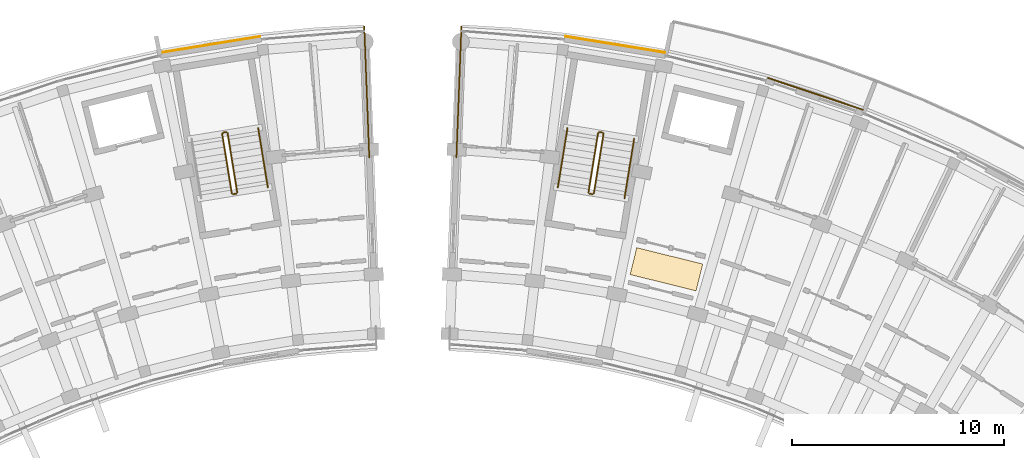
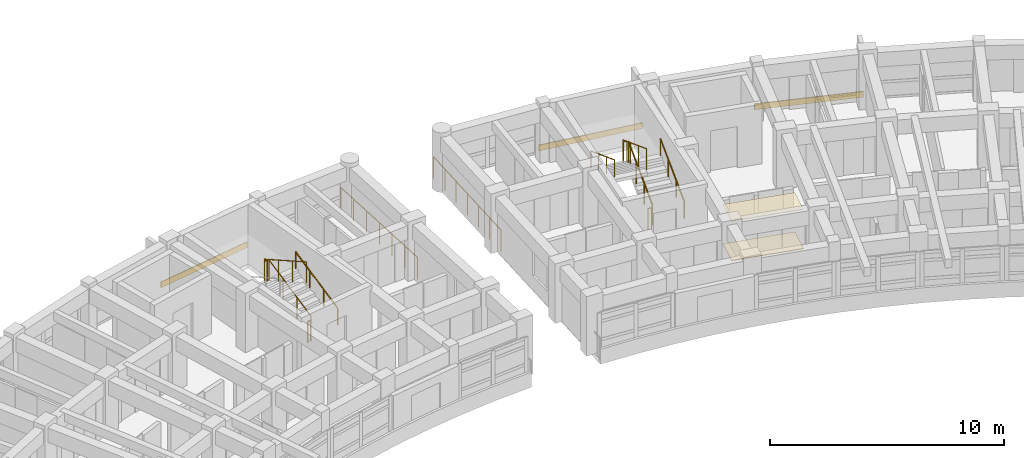
# One storey, part 63 of 70: 13 railings, 5 coverings.
"""IFC4 building model written with IfcOpenShell, lengths in metres."""

from ifc_helpers import new_model, si_unit, direction, frame, origin, origin_2d, place, context, subcontext, project, spatial, rectangle, circle, extrude, material, layer, layer_set, type_object, element, save


model = new_model("IFC4")

# Units and contexts
model_context = context("Model", 3, precision=1e-05, world=origin(), true_north=direction((0.0, 1.0)))
body_context = subcontext(model_context, "Body", "Model", "MODEL_VIEW")
ifc_project = project(units=[si_unit("LENGTHUNIT", "METRE"), si_unit("AREAUNIT", "SQUARE_METRE"), si_unit("VOLUMEUNIT", "CUBIC_METRE"), si_unit("PLANEANGLEUNIT", "RADIAN"), si_unit("MASSUNIT", "GRAM", prefix="KILO")], contexts=[model_context])

# Site, building, storey
site_placement = place(None, origin())
site = spatial("IfcSite", under=ifc_project, at=site_placement, CompositionType="ELEMENT")
building_placement = place(site_placement, origin())
building = spatial("IfcBuilding", under=site, at=building_placement, Name="Zimvara Arc Housing Community", CompositionType="ELEMENT")
storey_placement = place(building_placement, frame((0.0, 0.0, 8.10009765625)))
storey = spatial("IfcBuildingStorey", under=building, at=storey_placement, Name="L02", CompositionType="ELEMENT", Elevation=8.10009765625)

# Coverings
ifc_material_1 = material(Name="Pale-Gold Anodised Aluminium Cladding", Category="aluminium")
ifc_layer_1 = layer(ifc_material_1, 0.0400390625)
ifc_layer_set_1 = layer_set([ifc_layer_1], Name="Pale-Gold Anodised Aluminium Cladding")
covering_type_1 = type_object("IfcCoveringType", Name="CLD-GOLD-01", PredefinedType="CLADDING", material=ifc_layer_set_1)
covering_1_placement = place(storey_placement, frame((35.470947265625, 103.2041015625, 0.009765625), z_axis=(0.0, 0.0, 1.0), x_axis=(0.987080395872, 0.160225753504, 0.0)))
element("IfcCovering", 1, at=covering_1_placement, inside=storey, type_object=covering_type_1, Name="cld:blkA:L02:out:b8", PredefinedType="CLADDING", context=body_context, shape_type="SweptSolid", body=[
    extrude(rectangle(XDim=4.748779296875, YDim=0.0400390625, at=origin_2d()), origin(), (0.0, 0.0, 1.0), 0.300048828125),
])
ifc_material_2 = material(Name="Pale-Gold Anodised Aluminium Cladding", Category="aluminium")
ifc_layer_2 = layer(ifc_material_2, 0.044921875)
ifc_layer_set_2 = layer_set([ifc_layer_2], Name="Pale-Gold Anodised Aluminium Cladding")
covering_type_2 = type_object("IfcCoveringType", Name="CLD-GOLD-02", PredefinedType="CLADDING", material=ifc_layer_set_2)
covering_2_placement = place(storey_placement, frame((54.529541015625, 103.20654296875, 0.009765625), z_axis=(0.0, 0.0, 1.0), x_axis=(0.987080395872, -0.160225753504, 0.0)))
element("IfcCovering", 2, at=covering_2_placement, inside=storey, type_object=covering_type_2, Name="cld:blkB:L02:out:b1", PredefinedType="CLADDING", context=body_context, shape_type="SweptSolid", body=[
    extrude(rectangle(XDim=4.748779296875, YDim=0.044921875, at=origin_2d()), origin(), (0.0, 0.0, 1.0), 0.300048828125),
])
ifc_material_3 = material(Name="Pale-Gold Anodised Aluminium Cladding", Category="aluminium")
ifc_layer_3 = layer(ifc_material_3, 0.054931640625)
ifc_layer_set_3 = layer_set([ifc_layer_3], Name="Pale-Gold Anodised Aluminium Cladding")
covering_type_3 = type_object("IfcCoveringType", Name="CLD-GOLD-04", PredefinedType="CLADDING", material=ifc_layer_set_3)
covering_3_placement = place(storey_placement, frame((63.95361328125, 100.884521484375, 0.009765625), z_axis=(0.0, 0.0, 1.0), x_axis=(0.947879690069, -0.318628456287, 0.0)))
element("IfcCovering", 3, at=covering_3_placement, inside=storey, type_object=covering_type_3, Name="cld:blkB:L02:out:b3", PredefinedType="CLADDING", context=body_context, shape_type="SweptSolid", body=[
    extrude(rectangle(XDim=4.748779296875, YDim=0.054931640625, at=origin_2d()), origin(), (0.0, 0.0, 1.0), 0.300048828125),
])
ifc_material_4 = material(Name="Perforated Acoustic Ceiling Board")
ifc_layer_4 = layer(ifc_material_4, 0.02490234375)
ifc_layer_set_4 = layer_set([ifc_layer_4], Name="Perforated Acoustic Ceiling Board")
covering_type_4 = type_object("IfcCoveringType", Name="COV-CEIL-03", PredefinedType="CEILING", material=ifc_layer_set_4)
covering_4_placement = place(storey_placement, frame((56.938232421875, 92.625, 2.054931640625), z_axis=(0.0, 0.0, 1.0), x_axis=(0.240228042477, 0.970716481578, 0.0)))
element("IfcCovering", 4, at=covering_4_placement, inside=storey, type_object=covering_type_4, Name="ceil:blkB:L02", PredefinedType="CEILING", context=body_context, shape_type="SweptSolid", body=[
    extrude(rectangle(XDim=1.300048828125, YDim=3.199951171875, at=origin_2d()), origin(), (0.0, 0.0, 1.0), 0.02490234375),
])
ifc_material_5 = material(Name="Polished Coastal Sand Terrazzo")
ifc_layer_5 = layer(ifc_material_5, 0.028076171875)
ifc_layer_set_5 = layer_set([ifc_layer_5], Name="Polished Coastal Sand Terrazzo")
covering_type_5 = type_object("IfcCoveringType", Name="COV-FLOR-03", PredefinedType="FLOORING", material=ifc_layer_set_5)
covering_5_placement = place(storey_placement, frame((56.938232421875, 92.625, 0.0), z_axis=(0.0, 0.0, 1.0), x_axis=(0.240228042477, 0.970716481578, 0.0)))
element("IfcCovering", 5, at=covering_5_placement, inside=storey, type_object=covering_type_5, Name="flor:blkB:L02", PredefinedType="FLOORING", context=body_context, shape_type="SweptSolid", body=[
    extrude(rectangle(XDim=1.300048828125, YDim=3.199951171875, at=origin_2d()), origin(), (0.0, 0.0, 1.0), 0.028076171875),
])

# Railings
ifc_material_6 = material(Name="Anodised Aluminium AW-6063", Category="aluminium")
railing_type_1 = type_object("IfcRailingType", Name="RLG-BAL-1120", PredefinedType="BALUSTRADE", material=ifc_material_6)
railing_1_placement = place(storey_placement, frame((36.732421875, 96.243896484375, 0.15478515625)))
element("IfcRailing", 6, at=railing_1_placement, inside=storey, type_object=railing_type_1, Name="L02 ST-A2 stair guard 1", PredefinedType="BALUSTRADE", context=body_context, shape_type="SweptSolid", body=[
    extrude(circle(Radius=0.02392578125, at=origin_2d()), frame((0.0, 0.0, 1.09619140625), z_axis=(-0.143721784145, 0.885666177347, 0.441519502474), x_axis=(-0.987087819028, -0.160180016, 0.0)), (0.0, 0.0, 1.0), 3.15966796875),
    extrude(circle(Radius=0.02099609375, at=origin_2d()), origin(), (0.0, 0.0, 1.0), 1.072021484375),
    extrude(circle(Radius=0.02099609375, at=origin_2d()), frame((-0.1513671875, 0.932861328125, 0.465087890625)), (0.0, 0.0, 1.0), 1.072021484375),
    extrude(circle(Radius=0.02099609375, at=origin_2d()), frame((-0.302734375, 1.865478515625, 0.929931640625)), (0.0, 0.0, 1.0), 1.072021484375),
    extrude(circle(Radius=0.02099609375, at=origin_2d()), frame((-0.4541015625, 2.79833984375, 1.39501953125)), (0.0, 0.0, 1.0), 1.072021484375),
])
railing_2_placement = place(storey_placement, frame((36.220947265625, 99.08349609375, 1.5498046875)))
element("IfcRailing", 7, at=railing_2_placement, inside=storey, type_object=railing_type_1, Name="L02 ST-A2 stair guard 2", PredefinedType="BALUSTRADE", context=body_context, shape_type="SweptSolid", body=[
    extrude(circle(Radius=0.02392578125, at=origin_2d()), frame((0.0, 0.0, 1.09619140625), z_axis=(-0.987085924886, -0.160191687964, 0.0), x_axis=(0.160191687964, -0.987085924886, 0.0)), (0.0, 0.0, 1.0), 0.159912109375),
    extrude(circle(Radius=0.02099609375, at=origin_2d()), origin(), (0.0, 0.0, 1.0), 1.072021484375),
    extrude(circle(Radius=0.02099609375, at=origin_2d()), frame((-0.157958984375, -0.025634765625, 0.0)), (0.0, 0.0, 1.0), 1.072021484375),
])
railing_3_placement = place(storey_placement, frame((36.021728515625, 99.00048828125, 1.704833984375)))
element("IfcRailing", 8, at=railing_3_placement, inside=storey, type_object=railing_type_1, Name="L02 ST-A2 stair guard 3", PredefinedType="BALUSTRADE", context=body_context, shape_type="SweptSolid", body=[
    extrude(circle(Radius=0.02392578125, at=origin_2d()), frame((0.0, 0.0, 1.09619140625), z_axis=(0.143721784145, -0.885666177347, 0.441519502474), x_axis=(0.987087819028, 0.160180016, 0.0)), (0.0, 0.0, 1.0), 3.15966796875),
    extrude(circle(Radius=0.02099609375, at=origin_2d()), origin(), (0.0, 0.0, 1.0), 1.072021484375),
    extrude(circle(Radius=0.02099609375, at=origin_2d()), frame((0.1513671875, -0.932861328125, 0.465087890625)), (0.0, 0.0, 1.0), 1.072021484375),
    extrude(circle(Radius=0.02099609375, at=origin_2d()), frame((0.302734375, -1.865478515625, 0.929931640625)), (0.0, 0.0, 1.0), 1.072021484375),
    extrude(circle(Radius=0.02099609375, at=origin_2d()), frame((0.4541015625, -2.79833984375, 1.39501953125)), (0.0, 0.0, 1.0), 1.072021484375),
])
railing_4_placement = place(storey_placement, frame((36.691162109375, 96.1865234375, 0.0)))
element("IfcRailing", 9, at=railing_4_placement, inside=storey, type_object=railing_type_1, Name="L02 ST-A2 stair guard 4", PredefinedType="BALUSTRADE", context=body_context, shape_type="SweptSolid", body=[
    extrude(circle(Radius=0.02392578125, at=origin_2d()), frame((0.0, 0.0, 1.09619140625), z_axis=(-0.987085924886, -0.160191687964, 0.0), x_axis=(0.160191687964, -0.987085924886, 0.0)), (0.0, 0.0, 1.0), 0.159912109375),
    extrude(circle(Radius=0.02099609375, at=origin_2d()), origin(), (0.0, 0.0, 1.0), 1.072021484375),
    extrude(circle(Radius=0.02099609375, at=origin_2d()), frame((-0.157958984375, -0.025634765625, 0.0)), (0.0, 0.0, 1.0), 1.072021484375),
])
railing_5_placement = place(storey_placement, frame((53.524169921875, 96.2021484375, 0.15478515625)))
element("IfcRailing", 10, at=railing_5_placement, inside=storey, type_object=railing_type_1, Name="L02 ST-B1 stair guard 1", PredefinedType="BALUSTRADE", context=body_context, shape_type="SweptSolid", body=[
    extrude(circle(Radius=0.02392578125, at=origin_2d()), frame((0.0, 0.0, 1.09619140625), z_axis=(0.143721784145, 0.885666177347, 0.441519502474), x_axis=(-0.987087819028, 0.160180016, 0.0)), (0.0, 0.0, 1.0), 3.15966796875),
    extrude(circle(Radius=0.02099609375, at=origin_2d()), origin(), (0.0, 0.0, 1.0), 1.072021484375),
    extrude(circle(Radius=0.02099609375, at=origin_2d()), frame((0.1513671875, 0.932861328125, 0.465087890625)), (0.0, 0.0, 1.0), 1.072021484375),
    extrude(circle(Radius=0.02099609375, at=origin_2d()), frame((0.302734375, 1.865478515625, 0.929931640625)), (0.0, 0.0, 1.0), 1.072021484375),
    extrude(circle(Radius=0.02099609375, at=origin_2d()), frame((0.4541015625, 2.79833984375, 1.39501953125)), (0.0, 0.0, 1.0), 1.072021484375),
])
railing_6_placement = place(storey_placement, frame((53.93701171875, 99.057861328125, 1.5498046875)))
element("IfcRailing", 11, at=railing_6_placement, inside=storey, type_object=railing_type_1, Name="L02 ST-B1 stair guard 2", PredefinedType="BALUSTRADE", context=body_context, shape_type="SweptSolid", body=[
    extrude(circle(Radius=0.02392578125, at=origin_2d()), frame((0.0, 0.0, 1.09619140625), z_axis=(-0.987085924886, 0.160191687964, 0.0), x_axis=(-0.160191687964, -0.987085924886, 0.0)), (0.0, 0.0, 1.0), 0.159912109375),
    extrude(circle(Radius=0.02099609375, at=origin_2d()), origin(), (0.0, 0.0, 1.0), 1.072021484375),
    extrude(circle(Radius=0.02099609375, at=origin_2d()), frame((-0.157958984375, 0.025634765625, 0.0)), (0.0, 0.0, 1.0), 1.072021484375),
])
railing_7_placement = place(storey_placement, frame((53.7216796875, 99.042236328125, 1.704833984375)))
element("IfcRailing", 12, at=railing_7_placement, inside=storey, type_object=railing_type_1, Name="L02 ST-B1 stair guard 3", PredefinedType="BALUSTRADE", context=body_context, shape_type="SweptSolid", body=[
    extrude(circle(Radius=0.02392578125, at=origin_2d()), frame((0.0, 0.0, 1.09619140625), z_axis=(-0.143721784145, -0.885666177347, 0.441519502474), x_axis=(0.987087819028, -0.160180016, 0.0)), (0.0, 0.0, 1.0), 3.15966796875),
    extrude(circle(Radius=0.02099609375, at=origin_2d()), origin(), (0.0, 0.0, 1.0), 1.072021484375),
    extrude(circle(Radius=0.02099609375, at=origin_2d()), frame((-0.1513671875, -0.932861328125, 0.465087890625)), (0.0, 0.0, 1.0), 1.072021484375),
    extrude(circle(Radius=0.02099609375, at=origin_2d()), frame((-0.302734375, -1.865478515625, 0.929931640625)), (0.0, 0.0, 1.0), 1.072021484375),
    extrude(circle(Radius=0.02099609375, at=origin_2d()), frame((-0.4541015625, -2.79833984375, 1.39501953125)), (0.0, 0.0, 1.0), 1.072021484375),
])
railing_8_placement = place(storey_placement, frame((53.466796875, 96.160888671875, 0.0)))
element("IfcRailing", 13, at=railing_8_placement, inside=storey, type_object=railing_type_1, Name="L02 ST-B1 stair guard 4", PredefinedType="BALUSTRADE", context=body_context, shape_type="SweptSolid", body=[
    extrude(circle(Radius=0.02392578125, at=origin_2d()), frame((0.0, 0.0, 1.09619140625), z_axis=(-0.987085924886, 0.160191687964, 0.0), x_axis=(-0.160191687964, -0.987085924886, 0.0)), (0.0, 0.0, 1.0), 0.159912109375),
    extrude(circle(Radius=0.02099609375, at=origin_2d()), origin(), (0.0, 0.0, 1.0), 1.072021484375),
    extrude(circle(Radius=0.02099609375, at=origin_2d()), frame((-0.157958984375, 0.025634765625, 0.0)), (0.0, 0.0, 1.0), 1.072021484375),
])
ifc_material_7 = material(Name="Anodised Aluminium AW-6063", Category="aluminium")
railing_type_2 = type_object("IfcRailingType", Name="RLG-BAL-1150", PredefinedType="BALUSTRADE", material=ifc_material_7)
railing_9_placement = place(storey_placement, frame((42.948486328125, 97.900634765625, 0.0)))
element("IfcRailing", 14, at=railing_9_placement, inside=storey, type_object=railing_type_2, Name="rlg:blkA:L02:gable_out:gN", PredefinedType="BALUSTRADE", context=body_context, shape_type="SweptSolid", body=[
    extrude(circle(Radius=0.02392578125, at=origin_2d()), frame((0.0, 0.0, 1.1259765625), z_axis=(-0.038364627964, 0.99926380667, 0.0), x_axis=(-0.99926380667, -0.038364627964, 0.0)), (0.0, 0.0, 1.0), 6.16015625),
    extrude(circle(Radius=0.02099609375, at=origin_2d()), origin(), (0.0, 0.0, 1.0), 1.101806640625),
    extrude(circle(Radius=0.02099609375, at=origin_2d()), frame((-0.039306640625, 1.02587890625, 0.0)), (0.0, 0.0, 1.0), 1.101806640625),
    extrude(circle(Radius=0.02099609375, at=origin_2d()), frame((-0.078857421875, 2.0517578125, 0.0)), (0.0, 0.0, 1.0), 1.101806640625),
    extrude(circle(Radius=0.02099609375, at=origin_2d()), frame((-0.1181640625, 3.07763671875, 0.0)), (0.0, 0.0, 1.0), 1.101806640625),
    extrude(circle(Radius=0.02099609375, at=origin_2d()), frame((-0.157470703125, 4.103759765625, 0.0)), (0.0, 0.0, 1.0), 1.101806640625),
    extrude(circle(Radius=0.02099609375, at=origin_2d()), frame((-0.197021484375, 5.129638671875, 0.0)), (0.0, 0.0, 1.0), 1.101806640625),
    extrude(circle(Radius=0.02099609375, at=origin_2d()), frame((-0.236328125, 6.155517578125, 0.0)), (0.0, 0.0, 1.0), 1.101806640625),
])
railing_10_placement = place(storey_placement, frame((47.051513671875, 97.900634765625, 0.0)))
element("IfcRailing", 15, at=railing_10_placement, inside=storey, type_object=railing_type_2, Name="rlg:blkB:L02:gable_out:g0", PredefinedType="BALUSTRADE", context=body_context, shape_type="SweptSolid", body=[
    extrude(circle(Radius=0.02392578125, at=origin_2d()), frame((0.0, 0.0, 1.1259765625), z_axis=(0.038364627964, 0.99926380667, 0.0), x_axis=(-0.99926380667, 0.038364627964, 0.0)), (0.0, 0.0, 1.0), 6.16015625),
    extrude(circle(Radius=0.02099609375, at=origin_2d()), origin(), (0.0, 0.0, 1.0), 1.101806640625),
    extrude(circle(Radius=0.02099609375, at=origin_2d()), frame((0.039306640625, 1.02587890625, 0.0)), (0.0, 0.0, 1.0), 1.101806640625),
    extrude(circle(Radius=0.02099609375, at=origin_2d()), frame((0.078857421875, 2.0517578125, 0.0)), (0.0, 0.0, 1.0), 1.101806640625),
    extrude(circle(Radius=0.02099609375, at=origin_2d()), frame((0.1181640625, 3.07763671875, 0.0)), (0.0, 0.0, 1.0), 1.101806640625),
    extrude(circle(Radius=0.02099609375, at=origin_2d()), frame((0.157470703125, 4.103759765625, 0.0)), (0.0, 0.0, 1.0), 1.101806640625),
    extrude(circle(Radius=0.02099609375, at=origin_2d()), frame((0.197021484375, 5.129638671875, 0.0)), (0.0, 0.0, 1.0), 1.101806640625),
    extrude(circle(Radius=0.02099609375, at=origin_2d()), frame((0.236328125, 6.155517578125, 0.0)), (0.0, 0.0, 1.0), 1.101806640625),
])
ifc_material_8 = material(Name="Anodised Aluminium AW-6063", Category="aluminium")
railing_type_3 = type_object("IfcRailingType", Name="RLG-HND-900", PredefinedType="HANDRAIL", material=ifc_material_8)
railing_11_placement = place(storey_placement, frame((38.173583984375, 96.477783203125, 0.15478515625)))
element("IfcRailing", 16, at=railing_11_placement, inside=storey, type_object=railing_type_3, Name="L02 ST-A2 stair handrail 1", PredefinedType="HANDRAIL", context=body_context, shape_type="SweptSolid", body=[
    extrude(circle(Radius=0.02392578125, at=origin_2d()), frame((0.0, 0.0, 0.8759765625), z_axis=(-0.143721784145, 0.885666177347, 0.441519502474), x_axis=(-0.987087819028, -0.160180016, 0.0)), (0.0, 0.0, 1.0), 3.15966796875),
    extrude(circle(Radius=0.02099609375, at=origin_2d()), origin(), (0.0, 0.0, 1.0), 0.851806640625),
    extrude(circle(Radius=0.02099609375, at=origin_2d()), frame((-0.1513671875, 0.932861328125, 0.465087890625)), (0.0, 0.0, 1.0), 0.851806640625),
    extrude(circle(Radius=0.02099609375, at=origin_2d()), frame((-0.302734375, 1.865478515625, 0.929931640625)), (0.0, 0.0, 1.0), 0.851806640625),
    extrude(circle(Radius=0.02099609375, at=origin_2d()), frame((-0.4541015625, 2.79833984375, 1.39501953125)), (0.0, 0.0, 1.0), 0.851806640625),
])
railing_12_placement = place(storey_placement, frame((54.96533203125, 95.96826171875, 0.15478515625)))
element("IfcRailing", 17, at=railing_12_placement, inside=storey, type_object=railing_type_3, Name="L02 ST-B1 stair handrail 1", PredefinedType="HANDRAIL", context=body_context, shape_type="SweptSolid", body=[
    extrude(circle(Radius=0.02392578125, at=origin_2d()), frame((0.0, 0.0, 0.8759765625), z_axis=(0.143721784145, 0.885666177347, 0.441519502474), x_axis=(-0.987087819028, 0.160180016, 0.0)), (0.0, 0.0, 1.0), 3.15966796875),
    extrude(circle(Radius=0.02099609375, at=origin_2d()), origin(), (0.0, 0.0, 1.0), 0.851806640625),
    extrude(circle(Radius=0.02099609375, at=origin_2d()), frame((0.1513671875, 0.932861328125, 0.465087890625)), (0.0, 0.0, 1.0), 0.851806640625),
    extrude(circle(Radius=0.02099609375, at=origin_2d()), frame((0.302734375, 1.865478515625, 0.929931640625)), (0.0, 0.0, 1.0), 0.851806640625),
    extrude(circle(Radius=0.02099609375, at=origin_2d()), frame((0.4541015625, 2.79833984375, 1.39501953125)), (0.0, 0.0, 1.0), 0.851806640625),
])
railing_13_placement = place(storey_placement, frame((52.280517578125, 99.276123046875, 1.704833984375)))
element("IfcRailing", 18, at=railing_13_placement, inside=storey, type_object=railing_type_3, Name="L02 ST-B1 stair handrail 2", PredefinedType="HANDRAIL", context=body_context, shape_type="SweptSolid", body=[
    extrude(circle(Radius=0.02392578125, at=origin_2d()), frame((0.0, 0.0, 0.8759765625), z_axis=(-0.143721784145, -0.885666177347, 0.441519502474), x_axis=(0.987087819028, -0.160180016, 0.0)), (0.0, 0.0, 1.0), 3.15966796875),
    extrude(circle(Radius=0.02099609375, at=origin_2d()), origin(), (0.0, 0.0, 1.0), 0.851806640625),
    extrude(circle(Radius=0.02099609375, at=origin_2d()), frame((-0.1513671875, -0.932861328125, 0.465087890625)), (0.0, 0.0, 1.0), 0.851806640625),
    extrude(circle(Radius=0.02099609375, at=origin_2d()), frame((-0.302734375, -1.865478515625, 0.929931640625)), (0.0, 0.0, 1.0), 0.851806640625),
    extrude(circle(Radius=0.02099609375, at=origin_2d()), frame((-0.4541015625, -2.79833984375, 1.39501953125)), (0.0, 0.0, 1.0), 0.851806640625),
])

save(model, "model.ifc")
